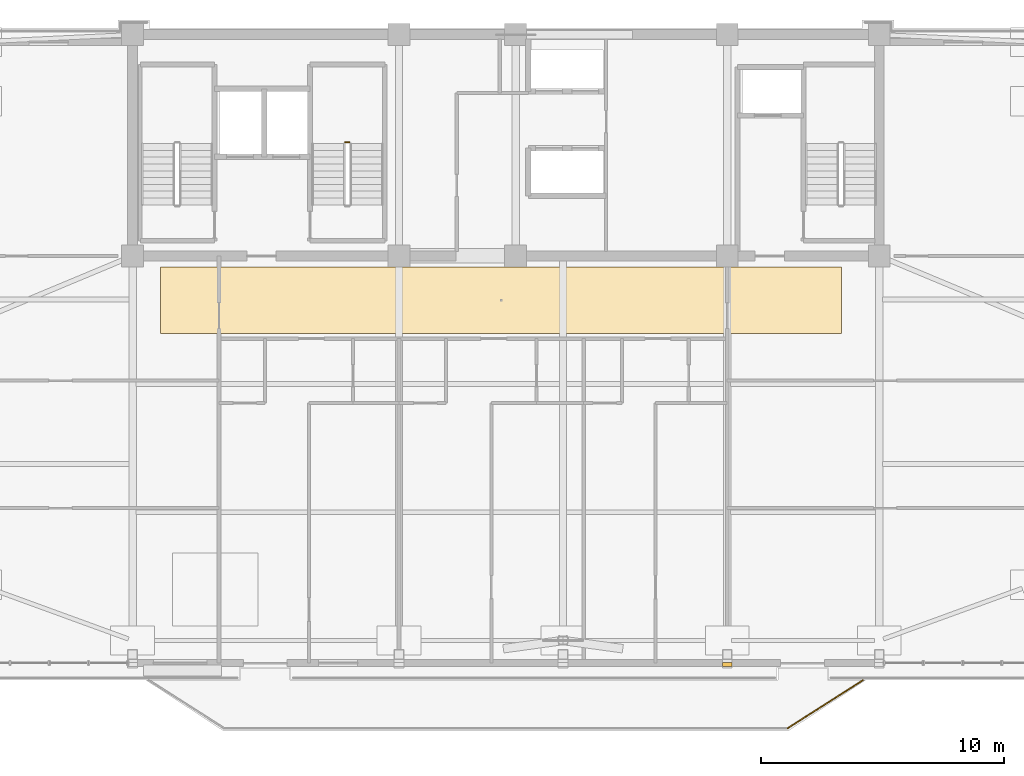
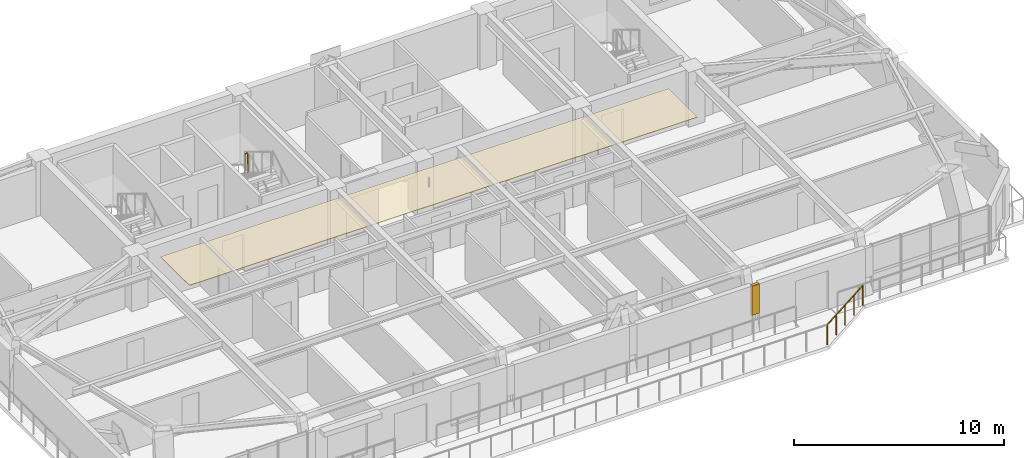
# One storey, part 13 of 14: 2 coverings, 2 railings.
"""IFC4 building model written with IfcOpenShell, lengths in metres."""

from ifc_helpers import new_model, si_unit, direction, frame, origin, origin_2d, place, context, subcontext, project, spatial, polyline, rectangle, outline, extrude, material, layer, layer_set, type_object, element, save


model = new_model("IFC4")

# Units and contexts
model_context = context("Model", 3, precision=1e-05, world=origin(), true_north=direction((0.0, 1.0)))
body_context = subcontext(model_context, "Body", "Model", "MODEL_VIEW")
ifc_project = project(units=[si_unit("LENGTHUNIT", "METRE"), si_unit("AREAUNIT", "SQUARE_METRE"), si_unit("VOLUMEUNIT", "CUBIC_METRE"), si_unit("PLANEANGLEUNIT", "RADIAN"), si_unit("MASSUNIT", "GRAM", prefix="KILO")], contexts=[model_context])

# Site, building, storey
site_placement = place(None, origin())
site = spatial("IfcSite", under=ifc_project, at=site_placement, CompositionType="ELEMENT")
building_placement = place(site_placement, origin())
building = spatial("IfcBuilding", under=site, at=building_placement, Name="Giltprow Tower", CompositionType="ELEMENT")
storey_placement = place(building_placement, frame((0.0, 0.0, 321.0)))
storey = spatial("IfcBuildingStorey", under=building, at=storey_placement, Name="L83", CompositionType="ELEMENT", Elevation=321.0)

# Coverings
ifc_material_1 = material(Name="Painted gypsum board", Category="gypsum")
ifc_layer_1 = layer(ifc_material_1, 0.030029296875, Name="Painted gypsum board")
ifc_layer_set_1 = layer_set([ifc_layer_1], Name="Painted gypsum board")
covering_type_1 = type_object("IfcCoveringType", Name="COV-CLG-GYPSUM", PredefinedType="CEILING", material=ifc_layer_set_1)
covering_1_placement = place(storey_placement, frame((0.0, 0.0, 2.6201171875)))
element("IfcCovering", 1, at=covering_1_placement, inside=storey, type_object=covering_type_1, Name="L83 Residence Gallery Ceiling", PredefinedType="CEILING", context=body_context, shape_type="SweptSolid", body=[
    extrude(outline(polyline([(21.0, 34.25), (49.0, 34.25), (49.0, 37.0), (21.0, 37.0), (21.0, 34.25)])), origin(), (0.0, 0.0, 1.0), 0.02978515625),
])
ifc_material_2 = material(Name="Anodized bronze", Category="metal")
ifc_layer_2 = layer(ifc_material_2, 0.0400390625, Name="Anodized bronze")
ifc_layer_set_2 = layer_set([ifc_layer_2], Name="Anodized bronze")
covering_type_2 = type_object("IfcCoveringType", Name="COV-SOFFIT-BRONZE", PredefinedType="CLADDING", material=ifc_layer_set_2)
covering_2_placement = place(storey_placement, frame((0.0, 0.0, 1.10009765625)))
element("IfcCovering", 2, at=covering_2_placement, inside=storey, type_object=covering_type_2, Name="L83 Setback Pier Closure Cladding S-4", PredefinedType="CLADDING", context=body_context, shape_type="SweptSolid", body=[
    extrude(outline(polyline([(44.10009765625, 20.56396484375), (44.5, 20.56396484375), (44.5, 20.72412109375), (44.10009765625, 20.72412109375), (44.10009765625, 20.56396484375)])), origin(), (0.0, 0.0, 1.0), 1.71484375),
])

# Railings
railing_type_1 = type_object("IfcRailingType", Name="RAIL-BALC-GUARD-1200", PredefinedType="BALUSTRADE", material=ifc_material_2)
railing_1_placement = place(storey_placement, frame((46.780029296875, 18.02392578125, 0.0)))
element("IfcRailing", 3, at=railing_1_placement, inside=storey, type_object=railing_type_1, Name="L83 Waterfront Balcony Balustrade Seg 3", PredefinedType="BALUSTRADE", context=body_context, shape_type="SweptSolid", body=[
    extrude(rectangle(XDim=0.048095703125, YDim=0.048095703125, at=origin_2d()), frame((0.0, 0.0, 1.17578125), z_axis=(0.842755646126, 0.538296313309, 0.0), x_axis=(-0.538296313309, 0.842755646126, 0.0)), (0.0, 0.0, 1.0), 3.67822265625),
    extrude(rectangle(XDim=0.0419921875, YDim=0.0419921875, at=origin_2d()), origin(), (0.0, 0.0, 1.0), 1.15185546875),
    extrude(rectangle(XDim=0.0419921875, YDim=0.0419921875, at=origin_2d()), frame((0.77490234375, 0.4951171875, 0.0)), (0.0, 0.0, 1.0), 1.15185546875),
    extrude(rectangle(XDim=0.0419921875, YDim=0.0419921875, at=origin_2d()), frame((1.5498046875, 0.989990234375, 0.0)), (0.0, 0.0, 1.0), 1.15185546875),
    extrude(rectangle(XDim=0.0419921875, YDim=0.0419921875, at=origin_2d()), frame((2.324951171875, 1.48486328125, 0.0)), (0.0, 0.0, 1.0), 1.15185546875),
    extrude(rectangle(XDim=0.0419921875, YDim=0.0419921875, at=origin_2d()), frame((3.099853515625, 1.97998046875, 0.0)), (0.0, 0.0, 1.0), 1.15185546875),
])
railing_type_2 = type_object("IfcRailingType", Name="RAIL-STAIR-GUARD-1200", PredefinedType="GUARDRAIL", material=ifc_material_2)
railing_2_placement = place(storey_placement, frame((28.760009765625, 42.1201171875, 1.699951171875)))
element("IfcRailing", 4, at=railing_2_placement, inside=storey, type_object=railing_type_2, Name="L83 ST-2 stair guard 2", PredefinedType="GUARDRAIL", context=body_context, shape_type="SweptSolid", body=[
    extrude(rectangle(XDim=0.048095703125, YDim=0.048095703125, at=origin_2d()), frame((0.0, 0.0, 1.17578125), z_axis=(-1.0, 0.0, 0.0), x_axis=(0.0, -1.0, 0.0)), (0.0, 0.0, 1.0), 0.159912109375),
    extrude(rectangle(XDim=0.0419921875, YDim=0.0419921875, at=origin_2d()), origin(), (0.0, 0.0, 1.0), 1.15185546875),
    extrude(rectangle(XDim=0.0419921875, YDim=0.0419921875, at=origin_2d()), frame((-0.159912109375, 0.0, 0.0)), (0.0, 0.0, 1.0), 1.15185546875),
])

save(model, "model.ifc")
